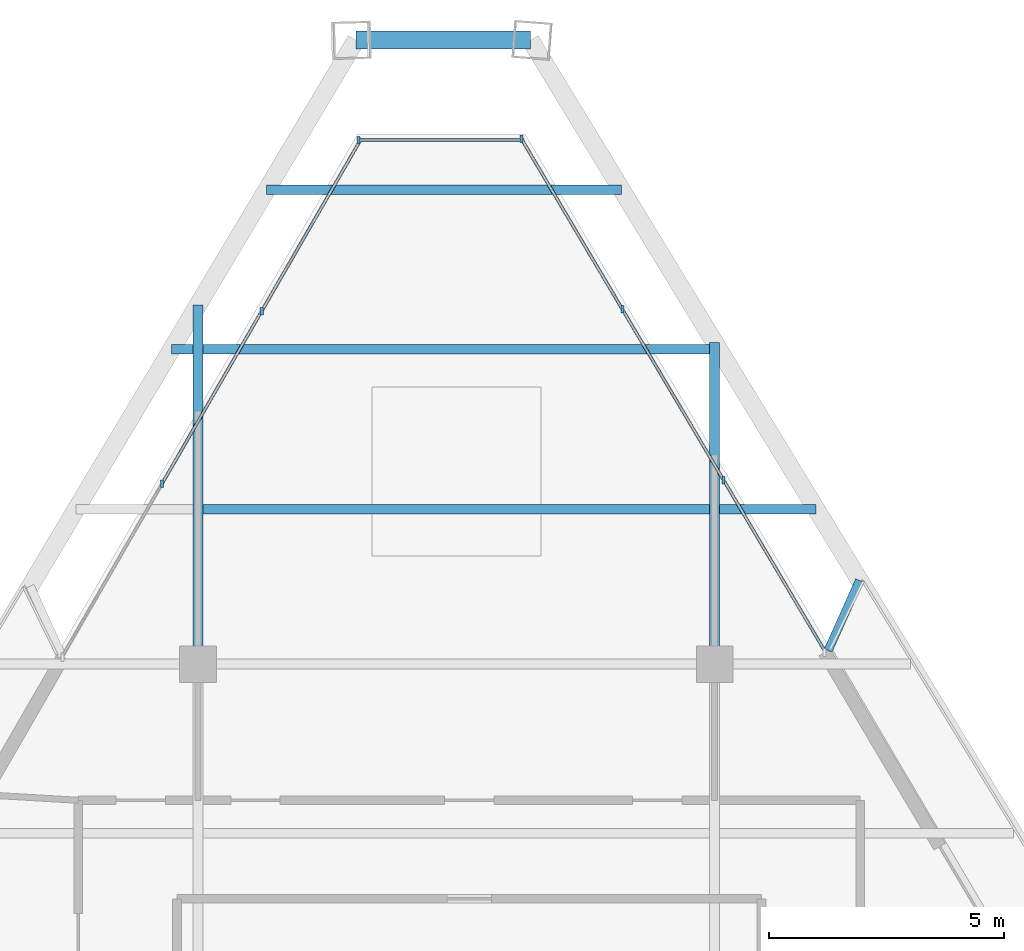
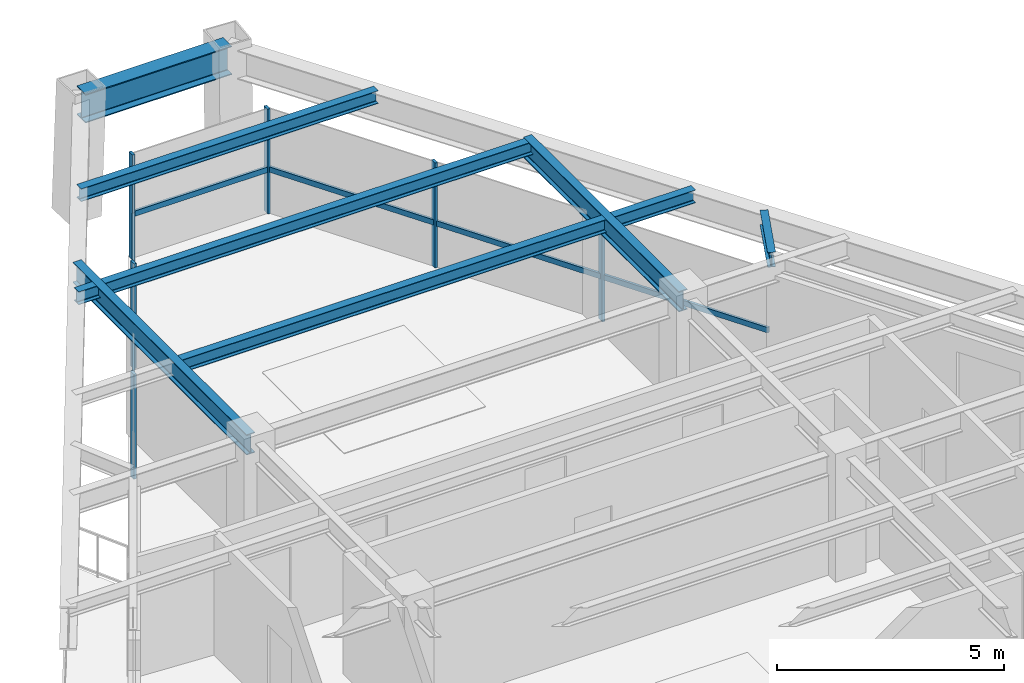
# One storey, part 7 of 13: 12 members, 8 beams, 3 elements without a shape of their own.
"""IFC4 building model written with IfcOpenShell, lengths in metres."""

from ifc_helpers import new_model, si_unit, direction, frame, origin, origin_2d, place, context, subcontext, project, spatial, rectangle, i_section, extrude, source, transform, mapped, material, material_profile, profile_set, type_object, type_shapes, element, aggregate, save


model = new_model("IFC4")

# Units and contexts
model_context = context("Model", 3, precision=1e-05, world=origin(), true_north=direction((0.0, 1.0)))
body_context = subcontext(model_context, "Body", "Model", "MODEL_VIEW")
ifc_project = project(units=[si_unit("LENGTHUNIT", "METRE"), si_unit("AREAUNIT", "SQUARE_METRE"), si_unit("VOLUMEUNIT", "CUBIC_METRE"), si_unit("PLANEANGLEUNIT", "RADIAN"), si_unit("MASSUNIT", "GRAM", prefix="KILO")], contexts=[model_context])

# Site, building, storey
site_placement = place(None, origin())
site = spatial("IfcSite", under=ifc_project, at=site_placement, CompositionType="ELEMENT")
building_placement = place(site_placement, origin())
building = spatial("IfcBuilding", under=site, at=building_placement, Name="Varnakhor Terracotta Tower", CompositionType="ELEMENT")
storey_placement = place(building_placement, frame((0.0, 0.0, 276.449951171875)))
storey = spatial("IfcBuildingStorey", under=building, at=storey_placement, Name="L72", CompositionType="ELEMENT", Elevation=276.449951171875)

# Beams
ifc_material_1 = material(Name="Steel S355", Category="steel")
ifc_material_profile_1 = material_profile(ifc_material_1, i_section(OverallWidth=0.202880859375, OverallDepth=0.346923828125, WebThickness=0.0078125, FlangeThickness=0.013427734375, FilletRadius=0.01806640625, at=origin_2d()), Name="W14X43")
ifc_profile_set_1 = profile_set([ifc_material_profile_1], Name="Steel S355")
beam_type_1 = type_object("IfcBeamType", Name="JST-W14X43", PredefinedType="JOIST", material=ifc_profile_set_1)
shared_shape_1 = source(origin(), body_context, "Body", "SweptSolid", [
    extrude(i_section(OverallWidth=0.202880859375, OverallDepth=0.346923828125, WebThickness=0.0078125, FlangeThickness=0.013427734375, FilletRadius=0.01806640625, at=origin_2d()), origin(), (0.0, 0.0, 1.0), 10.7939453125),
])
beam_1_placement = place(storey_placement, frame((-5.39697265625, 34.800048828125, 3.066650390625), z_axis=(1.0, 0.0, 0.0), x_axis=(0.0, 1.0, 0.0)))
element("IfcBeam", 1, at=beam_1_placement, inside=storey, type_object=beam_type_1, Name="L72 Composite Floor Joist 7-2", PredefinedType="JOIST", context=body_context, shape_type="MappedRepresentation", body=[
    mapped(shared_shape_1, transform((0.0, 0.0, 0.0), scale=1.0)),
])
ifc_material_profile_2 = material_profile(ifc_material_1, i_section(OverallWidth=0.381103515625, OverallDepth=0.77294921875, WebThickness=0.01708984375, FlangeThickness=0.027099609375, FilletRadius=0.01806640625, at=origin_2d()), Name="W30X173")
ifc_profile_set_2 = profile_set([ifc_material_profile_2], Name="Steel S355")
beam_type_2 = type_object("IfcBeamType", Name="BM-W30X173", PredefinedType="BEAM", material=ifc_profile_set_2)
shared_shape_2 = source(origin(), body_context, "Body", "SweptSolid", [
    extrude(i_section(OverallWidth=0.381103515625, OverallDepth=0.77294921875, WebThickness=0.01708984375, FlangeThickness=0.027099609375, FilletRadius=0.01806640625, at=origin_2d()), origin(), (0.0, 0.0, 1.0), 3.71728515625),
])
beam_2_placement = place(storey_placement, frame((1.579833984375, 44.787109375, 2.853515625), z_axis=(-1.0, 0.0, 0.0), x_axis=(0.0, -1.0, 0.0)))
element("IfcBeam", 2, at=beam_2_placement, inside=storey, type_object=beam_type_2, Name="L72 Perimeter Spandrel 5", PredefinedType="BEAM", context=body_context, shape_type="MappedRepresentation", body=[
    mapped(shared_shape_2, transform((0.0, 0.0, 0.0), scale=1.0)),
])
ifc_material_profile_3 = material_profile(ifc_material_1, i_section(OverallWidth=0.214111328125, OverallDepth=0.549072265625, WebThickness=0.014892578125, FlangeThickness=0.02392578125, FilletRadius=0.01806640625, at=origin_2d()), Name="W21X93")
ifc_profile_set_3 = profile_set([ifc_material_profile_3], Name="Steel S355")
beam_type_3 = type_object("IfcBeamType", Name="BM-W21X93", PredefinedType="BEAM", material=ifc_profile_set_3)
shared_shape_3 = source(origin(), body_context, "Body", "SweptSolid", [
    extrude(i_section(OverallWidth=0.214111328125, OverallDepth=0.549072265625, WebThickness=0.014892578125, FlangeThickness=0.02392578125, FilletRadius=0.01806640625, at=origin_2d()), origin(), (0.0, 0.0, 1.0), 7.65185546875),
])
beam_3_placement = place(storey_placement, frame((-5.5, 31.5, 2.965576171875), z_axis=(0.0, 1.0, 0.0), x_axis=(-1.0, 0.0, 0.0)))
element("IfcBeam", 3, at=beam_3_placement, inside=storey, type_object=beam_type_3, Name="L72 Primary Girder NS3-W", PredefinedType="BEAM", context=body_context, shape_type="MappedRepresentation", body=[
    mapped(shared_shape_3, transform((0.0, 0.0, 0.0), scale=1.0)),
])
shared_shape_4 = source(origin(), body_context, "Body", "SweptSolid", [
    extrude(i_section(OverallWidth=0.214111328125, OverallDepth=0.549072265625, WebThickness=0.014892578125, FlangeThickness=0.02392578125, FilletRadius=0.01806640625, at=origin_2d()), origin(), (0.0, 0.0, 1.0), 6.8515625),
])
beam_4_placement = place(storey_placement, frame((5.5, 31.5, 2.965576171875), z_axis=(0.0, 1.0, 0.0), x_axis=(-1.0, 0.0, 0.0)))
element("IfcBeam", 4, at=beam_4_placement, inside=storey, type_object=beam_type_3, Name="L72 Primary Girder NS3-E", PredefinedType="BEAM", context=body_context, shape_type="MappedRepresentation", body=[
    mapped(shared_shape_4, transform((0.0, 0.0, 0.0), scale=1.0)),
])
shared_shape_5 = source(origin(), body_context, "Body", "SweptSolid", [
    extrude(i_section(OverallWidth=0.202880859375, OverallDepth=0.346923828125, WebThickness=0.0078125, FlangeThickness=0.013427734375, FilletRadius=0.01806640625, at=origin_2d()), origin(), (0.0, 0.0, 1.0), 2.060302734375),
])
beam_5_placement = place(storey_placement, frame((5.60302734375, 34.800048828125, 3.066650390625), z_axis=(1.0, 0.0, 0.0), x_axis=(0.0, 1.0, 0.0)))
element("IfcBeam", 5, at=beam_5_placement, inside=storey, type_object=beam_type_1, Name="L72 Composite Floor Joist 7-3", PredefinedType="JOIST", context=body_context, shape_type="MappedRepresentation", body=[
    mapped(shared_shape_5, transform((0.0, 0.0, 0.0), scale=1.0)),
])
shared_shape_6 = source(origin(), body_context, "Body", "SweptSolid", [
    extrude(i_section(OverallWidth=0.202880859375, OverallDepth=0.346923828125, WebThickness=0.0078125, FlangeThickness=0.013427734375, FilletRadius=0.01806640625, at=origin_2d()), origin(), (0.0, 0.0, 1.0), 11.66015625),
])
beam_6_placement = place(storey_placement, frame((-6.06787109375, 38.199951171875, 3.066650390625), z_axis=(1.0, 0.0, 0.0), x_axis=(0.0, 1.0, 0.0)))
element("IfcBeam", 6, at=beam_6_placement, inside=storey, type_object=beam_type_1, Name="L72 Composite Floor Joist 8-1", PredefinedType="JOIST", context=body_context, shape_type="MappedRepresentation", body=[
    mapped(shared_shape_6, transform((0.0, 0.0, 0.0), scale=1.0)),
])
shared_shape_7 = source(origin(), body_context, "Body", "SweptSolid", [
    extrude(i_section(OverallWidth=0.202880859375, OverallDepth=0.346923828125, WebThickness=0.0078125, FlangeThickness=0.013427734375, FilletRadius=0.01806640625, at=origin_2d()), origin(), (0.0, 0.0, 1.0), 7.560546875),
])
beam_7_placement = place(storey_placement, frame((-4.039306640625, 41.60009765625, 3.066650390625), z_axis=(1.0, 0.0, 0.0), x_axis=(0.0, 1.0, 0.0)))
element("IfcBeam", 7, at=beam_7_placement, inside=storey, type_object=beam_type_1, Name="L72 Composite Floor Joist 9-1", PredefinedType="JOIST", context=body_context, shape_type="MappedRepresentation", body=[
    mapped(shared_shape_7, transform((0.0, 0.0, 0.0), scale=1.0)),
])

# Curtain wall, members
ifc_material_2 = material(Name="Anodised Aluminium Curtain Wall System", Category="aluminium")
curtain_wall_type = type_object("IfcCurtainWallType", Name="CW-SYS-HOTEL-LOGGIA", PredefinedType="NOTDEFINED", material=ifc_material_2)
curtain_wall_1_placement = place(storey_placement, origin())
curtain_wall_1 = element("IfcCurtainWall", 8, at=curtain_wall_1_placement, inside=storey, type_object=curtain_wall_type, Name="L72 W Facet Curtain Wall 2", PredefinedType="NOTDEFINED")
ifc_material_3 = material(Name="Anodised Aluminium 6063-T6", Category="aluminium")
ifc_material_profile_4 = material_profile(ifc_material_3, rectangle(XDim=0.06494140625, YDim=0.159912109375, at=origin_2d()), Name="ALU MULLION 65x160")
ifc_profile_set_4 = profile_set([ifc_material_profile_4], Name="Anodised Aluminium 6063-T6")
member_type_1 = type_object("IfcMemberType", Name="CWM-04", PredefinedType="MULLION", material=ifc_profile_set_4)
shared_shape_8 = source(origin(), body_context, "Body", "SweptSolid", [
    extrude(rectangle(XDim=0.06494140625, YDim=0.159912109375, at=origin_2d()), origin(), (0.0, 0.0, 1.0), 2.820068359375),
])
type_shapes(member_type_1, [shared_shape_8])
member_1_placement = place(storey_placement, frame((-6.265625, 35.343017578125, 0.0), z_axis=(0.0, 0.0, 1.0), x_axis=(1.0, 0.0, 0.0)))
member_1 = element("IfcMember", 9, at=member_1_placement, type_object=member_type_1, Name="L72 W Facet Curtain Wall 2 Mullion 2", PredefinedType="MULLION", context=body_context, shape_type="MappedRepresentation", body=[
    mapped(shared_shape_8, transform((0.0, 0.0, 0.0), scale=1.0)),
])
member_2_placement = place(storey_placement, frame((-4.143798828125, 39.017578125, 0.0), z_axis=(0.0, 0.0, 1.0), x_axis=(1.0, 0.0, 0.0)))
member_2 = element("IfcMember", 10, at=member_2_placement, type_object=member_type_1, Name="L72 W Facet Curtain Wall 2 Mullion 3", PredefinedType="MULLION", context=body_context, shape_type="MappedRepresentation", body=[
    mapped(shared_shape_8, transform((0.0, 0.0, 0.0), scale=1.0)),
])

# Curtain wall, member
curtain_wall_2_placement = place(storey_placement, origin())
curtain_wall_2 = element("IfcCurtainWall", 11, at=curtain_wall_2_placement, inside=storey, type_object=curtain_wall_type, Name="L72 Facet Curtain Wall 2", PredefinedType="NOTDEFINED")
member_3_placement = place(storey_placement, frame((-2.0810546875, 42.657958984375, 0.0), z_axis=(0.0, 0.0, 1.0), x_axis=(1.0, 0.0, 0.0)))
member_3 = element("IfcMember", 12, at=member_3_placement, type_object=member_type_1, Name="L72 Facet Curtain Wall 2 Mullion 1", PredefinedType="MULLION", context=body_context, shape_type="MappedRepresentation", body=[
    mapped(shared_shape_8, transform((0.0, 0.0, 0.0), scale=1.0)),
])

# Curtain wall, members
curtain_wall_3_placement = place(storey_placement, origin())
curtain_wall_3 = element("IfcCurtainWall", 13, at=curtain_wall_3_placement, inside=storey, type_object=curtain_wall_type, Name="L72 E Facet Curtain Wall 1", PredefinedType="NOTDEFINED")
member_4_placement = place(storey_placement, frame((1.38330078125, 42.69091796875, 0.0), z_axis=(0.0, 0.0, 1.0), x_axis=(1.0, 0.0, 0.0)))
member_4 = element("IfcMember", 14, at=member_4_placement, type_object=member_type_1, Name="L72 E Facet Curtain Wall 1 Mullion 1", PredefinedType="MULLION", context=body_context, shape_type="MappedRepresentation", body=[
    mapped(shared_shape_8, transform((0.0, 0.0, 0.0), scale=1.0)),
])
member_5_placement = place(storey_placement, frame((3.537109375, 39.054931640625, 0.0), z_axis=(0.0, 0.0, 1.0), x_axis=(1.0, 0.0, 0.0)))
member_5 = element("IfcMember", 15, at=member_5_placement, type_object=member_type_1, Name="L72 E Facet Curtain Wall 1 Mullion 2", PredefinedType="MULLION", context=body_context, shape_type="MappedRepresentation", body=[
    mapped(shared_shape_8, transform((0.0, 0.0, 0.0), scale=1.0)),
])
member_6_placement = place(storey_placement, frame((5.691162109375, 35.4189453125, 0.0), z_axis=(0.0, 0.0, 1.0), x_axis=(1.0, 0.0, 0.0)))
member_6 = element("IfcMember", 16, at=member_6_placement, type_object=member_type_1, Name="L72 E Facet Curtain Wall 1 Mullion 3", PredefinedType="MULLION", context=body_context, shape_type="MappedRepresentation", body=[
    mapped(shared_shape_8, transform((0.0, 0.0, 0.0), scale=1.0)),
])

# Member
ifc_material_profile_5 = material_profile(ifc_material_3, rectangle(XDim=0.06494140625, YDim=0.14501953125, at=origin_2d()), Name="ALU TRANSOM 65x145")
ifc_profile_set_5 = profile_set([ifc_material_profile_5], Name="Anodised Aluminium 6063-T6")
member_type_2 = type_object("IfcMemberType", Name="CWT-04", PredefinedType="USERDEFINED", material=ifc_profile_set_5)
shared_shape_9 = source(origin(), body_context, "Body", "SweptSolid", [
    extrude(rectangle(XDim=0.06494140625, YDim=0.14501953125, at=origin_2d()), origin(), (0.0, 0.0, 1.0), 4.242919921875),
])
member_7_placement = place(storey_placement, frame((-4.143798828125, 39.017578125, 1.1845703125), z_axis=(0.500037910135, 0.866003515251, 0.0), x_axis=(-0.866003515251, 0.500037910135, 0.0)))
member_7 = element("IfcMember", 17, at=member_7_placement, type_object=member_type_2, Name="L72 W Facet Curtain Wall 2 Transom 3", ObjectType="TRANSOM", PredefinedType="USERDEFINED", context=body_context, shape_type="MappedRepresentation", body=[
    mapped(shared_shape_9, transform((0.0, 0.0, 0.0), scale=1.0)),
])

shared_shape_10 = source(origin(), body_context, "Body", "SweptSolid", [
    extrude(rectangle(XDim=0.06494140625, YDim=0.14501953125, at=origin_2d()), origin(), (0.0, 0.0, 1.0), 4.2431640625),
])
member_8_placement = place(storey_placement, frame((-6.265625, 35.343017578125, 1.1845703125), z_axis=(0.500056145158, 0.865992985936, 0.0), x_axis=(-0.865992985936, 0.500056145158, 0.0)))
member_8 = element("IfcMember", 18, at=member_8_placement, type_object=member_type_2, Name="L72 W Facet Curtain Wall 2 Transom 2", ObjectType="TRANSOM", PredefinedType="USERDEFINED", context=body_context, shape_type="MappedRepresentation", body=[
    mapped(shared_shape_10, transform((0.0, 0.0, 0.0), scale=1.0)),
])

aggregate(curtain_wall_1, [member_1, member_8, member_2, member_7])

shared_shape_11 = source(origin(), body_context, "Body", "SweptSolid", [
    extrude(rectangle(XDim=0.06494140625, YDim=0.14501953125, at=origin_2d()), origin(), (0.0, 0.0, 1.0), 3.522216796875),
])
member_9_placement = place(storey_placement, frame((-2.0810546875, 42.657958984375, 1.1845703125), z_axis=(1.0, 0.0, 0.0), x_axis=(0.0, 1.0, 0.0)))
member_9 = element("IfcMember", 19, at=member_9_placement, type_object=member_type_2, Name="L72 Facet Curtain Wall 2 Transom 1", ObjectType="TRANSOM", PredefinedType="USERDEFINED", context=body_context, shape_type="MappedRepresentation", body=[
    mapped(shared_shape_11, transform((0.0, 0.0, 0.0), scale=1.0)),
])

aggregate(curtain_wall_2, [member_3, member_9])

shared_shape_12 = source(origin(), body_context, "Body", "SweptSolid", [
    extrude(rectangle(XDim=0.06494140625, YDim=0.14501953125, at=origin_2d()), origin(), (0.0, 0.0, 1.0), 4.22607421875),
])
member_10_placement = place(storey_placement, frame((1.38330078125, 42.69091796875, 1.1845703125), z_axis=(0.50965352769, -0.860379731115, 0.0), x_axis=(0.860379731115, 0.50965352769, 0.0)))
member_10 = element("IfcMember", 20, at=member_10_placement, type_object=member_type_2, Name="L72 E Facet Curtain Wall 1 Transom 1", ObjectType="TRANSOM", PredefinedType="USERDEFINED", context=body_context, shape_type="MappedRepresentation", body=[
    mapped(shared_shape_12, transform((0.0, 0.0, 0.0), scale=1.0)),
])

member_11_placement = place(storey_placement, frame((3.537109375, 39.054931640625, 1.1845703125), z_axis=(0.509696290787, -0.860354398581, 0.0), x_axis=(0.860354398581, 0.509696290787, 0.0)))
member_11 = element("IfcMember", 21, at=member_11_placement, type_object=member_type_2, Name="L72 E Facet Curtain Wall 1 Transom 2", ObjectType="TRANSOM", PredefinedType="USERDEFINED", context=body_context, shape_type="MappedRepresentation", body=[
    mapped(shared_shape_12, transform((0.0, 0.0, 0.0), scale=1.0)),
])

member_12_placement = place(storey_placement, frame((5.691162109375, 35.4189453125, 1.1845703125), z_axis=(0.50965352769, -0.860379731115, 0.0), x_axis=(0.860379731115, 0.50965352769, 0.0)))
member_12 = element("IfcMember", 22, at=member_12_placement, type_object=member_type_2, Name="L72 E Facet Curtain Wall 1 Transom 3", ObjectType="TRANSOM", PredefinedType="USERDEFINED", context=body_context, shape_type="MappedRepresentation", body=[
    mapped(shared_shape_12, transform((0.0, 0.0, 0.0), scale=1.0)),
])

aggregate(curtain_wall_3, [member_4, member_10, member_5, member_11, member_6, member_12])

# Beam
ifc_material_profile_6 = material_profile(ifc_material_1, i_section(OverallWidth=0.179931640625, OverallDepth=0.39990234375, WebThickness=0.008544921875, FlangeThickness=0.013427734375, FilletRadius=0.01806640625, at=origin_2d()), Name="IPE400")
ifc_profile_set_6 = profile_set([ifc_material_profile_6], Name="Steel S355")
beam_type_4 = type_object("IfcBeamType", Name="JST-IPE400", PredefinedType="JOIST", material=ifc_profile_set_6)
shared_shape_13 = source(origin(), body_context, "Body", "SweptSolid", [
    extrude(i_section(OverallWidth=0.179931640625, OverallDepth=0.39990234375, WebThickness=0.008544921875, FlangeThickness=0.013427734375, FilletRadius=0.01806640625, at=origin_2d()), origin(), (0.0, 0.0, 1.0), 1.638427734375),
])
beam_8_placement = place(storey_placement, frame((7.9169921875, 31.787841796875, 3.0400390625), z_axis=(0.409205655112, 0.91244217999, 0.0), x_axis=(-0.91244217999, 0.409205655112, 0.0)))
element("IfcBeam", 23, at=beam_8_placement, inside=storey, type_object=beam_type_4, Name="L73 E Loggia Tie Beam 1", PredefinedType="JOIST", context=body_context, shape_type="MappedRepresentation", body=[
    mapped(shared_shape_13, transform((0.0, 0.0, 0.0), scale=1.0)),
])

save(model, "model.ifc")
